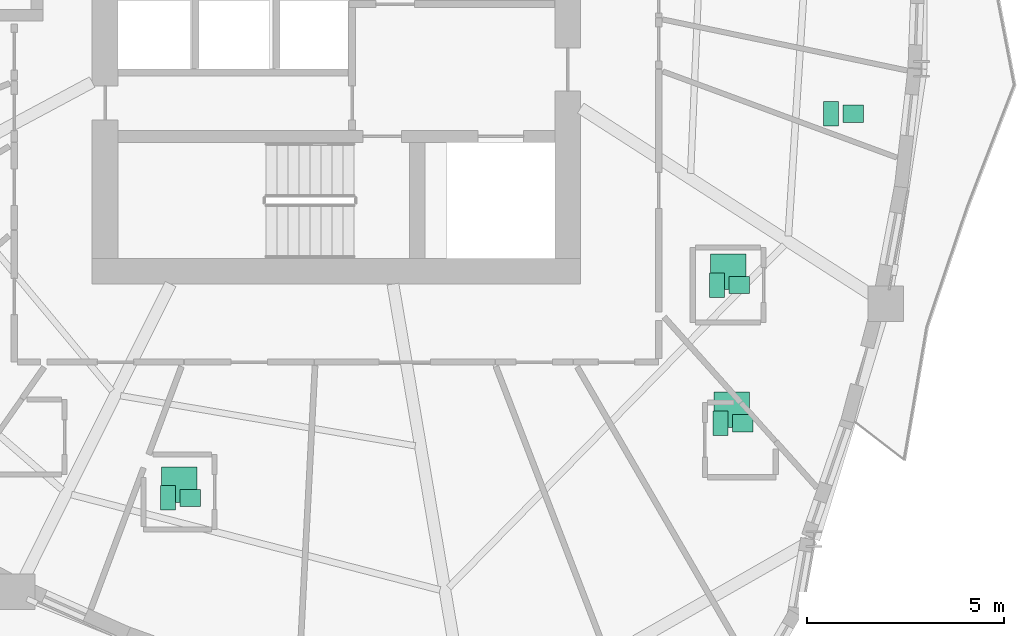
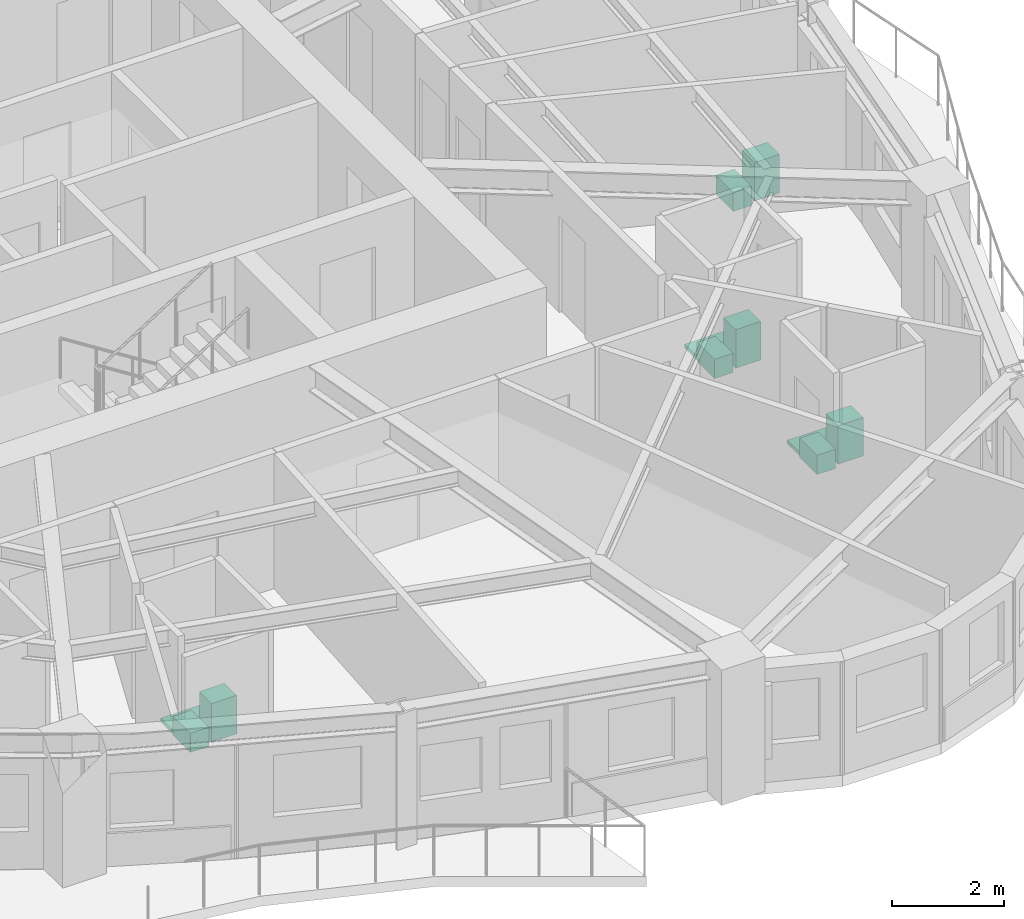
# One storey, part 13 of 13: 11 sanitary terminals.
"""IFC4 building model written with IfcOpenShell, lengths in metres."""

from ifc_helpers import new_model, si_unit, direction, frame, origin, origin_2d, place, context, subcontext, project, spatial, rectangle, extrude, source, transform, mapped, material, type_object, element, save


model = new_model("IFC4")

# Units and contexts
model_context = context("Model", 3, precision=1e-05, world=origin(), true_north=direction((0.0, 1.0)))
body_context = subcontext(model_context, "Body", "Model", "MODEL_VIEW")
ifc_project = project(units=[si_unit("LENGTHUNIT", "METRE"), si_unit("AREAUNIT", "SQUARE_METRE"), si_unit("VOLUMEUNIT", "CUBIC_METRE"), si_unit("PLANEANGLEUNIT", "RADIAN"), si_unit("MASSUNIT", "GRAM", prefix="KILO")], contexts=[model_context])

# Site, building, storey
site_placement = place(None, origin())
site = spatial("IfcSite", under=ifc_project, at=site_placement, CompositionType="ELEMENT")
building_placement = place(site_placement, origin())
building = spatial("IfcBuilding", under=site, at=building_placement, Name="Qafzar Sky-Pleat Residences", CompositionType="ELEMENT")
storey_placement = place(building_placement, frame((0.0, 0.0, 99.199951171875)))
storey = spatial("IfcBuildingStorey", under=building, at=storey_placement, Name="L29", CompositionType="ELEMENT", Elevation=99.199951171875)

# Sanitary terminals
ifc_material_1 = material(Name="Vitreous china sanitaryware")
sanitary_terminal_type_1 = type_object("IfcSanitaryTerminalType", Name="SAN-WC-PAN", PredefinedType="TOILETPAN", material=ifc_material_1)
shared_shape_1 = source(origin(), body_context, "Body", "SweptSolid", [
    extrude(rectangle(XDim=0.3798828125, YDim=0.6201171875, at=origin_2d()), origin(), (0.0, 0.0, 1.0), 0.419921875),
])
for number, where, z_axis, x_axis, name in (
    (1, (26.074951171875, 12.12109375, 0.0), (0.0, 0.0, 1.0), (1.0, 0.0, 0.0), "L29 En-suite Bathroom 1 WC Pan"),
    (2, (40.106689453125, 14.0205078125, 0.0), (0.0, 0.0, 1.0), (1.0, 0.0, 0.0), "L29 En-suite Bathroom 3 WC Pan"),
    (3, (40.014892578125, 17.52587890625, 0.0), (0.0, 0.0, 1.0), (1.0, 0.0, 0.0), "L29 En-suite Bathroom 4 WC Pan"),
    (4, (42.90966796875, 21.87109375, 0.0), (0.0, 0.0, 1.0), (1.0, 0.0, 0.0), "L29 Accessible Shared Washroom WC Pan"),
):
    element("IfcSanitaryTerminal", number, at=place(storey_placement, frame(where, z_axis=z_axis, x_axis=x_axis)), inside=storey, type_object=sanitary_terminal_type_1, Name=name, PredefinedType="TOILETPAN", context=body_context, shape_type="MappedRepresentation", body=[
        mapped(shared_shape_1, transform((0.0, 0.0, 0.0), x_axis=(1.0, 0.0, 0.0), y_axis=(0.0, 1.0, 0.0), z_axis=(0.0, 0.0, 1.0), scale=1.0)),
    ])
sanitary_terminal_type_2 = type_object("IfcSanitaryTerminalType", Name="SAN-BASIN", PredefinedType="WASHHANDBASIN", material=ifc_material_1)
shared_shape_2 = source(origin(), body_context, "Body", "SweptSolid", [
    extrude(rectangle(XDim=0.52001953125, YDim=0.43994140625, at=origin_2d()), origin(), (0.0, 0.0, 1.0), 0.840087890625),
])
for number, where, z_axis, x_axis, name in (
    (5, (26.635009765625, 12.12109375, 0.0), (0.0, 0.0, 1.0), (1.0, 0.0, 0.0), "L29 En-suite Bathroom 1 Pedestal Washbasin"),
    (6, (40.66650390625, 14.0205078125, 0.0), (0.0, 0.0, 1.0), (1.0, 0.0, 0.0), "L29 En-suite Bathroom 3 Pedestal Washbasin"),
    (7, (40.574951171875, 17.52587890625, 0.0), (0.0, 0.0, 1.0), (1.0, 0.0, 0.0), "L29 En-suite Bathroom 4 Pedestal Washbasin"),
    (8, (43.4697265625, 21.87109375, 0.0), (0.0, 0.0, 1.0), (1.0, 0.0, 0.0), "L29 Accessible Shared Washroom Pedestal Washbasin"),
):
    element("IfcSanitaryTerminal", number, at=place(storey_placement, frame(where, z_axis=z_axis, x_axis=x_axis)), inside=storey, type_object=sanitary_terminal_type_2, Name=name, PredefinedType="WASHHANDBASIN", context=body_context, shape_type="MappedRepresentation", body=[
        mapped(shared_shape_2, transform((0.0, 0.0, 0.0), x_axis=(1.0, 0.0, 0.0), y_axis=(0.0, 1.0, 0.0), z_axis=(0.0, 0.0, 1.0), scale=1.0)),
    ])
ifc_material_2 = material(Name="Vitreous china and acrylic tray")
sanitary_terminal_type_3 = type_object("IfcSanitaryTerminalType", Name="SAN-SHOWER", PredefinedType="SHOWER", material=ifc_material_2)
shared_shape_3 = source(origin(), body_context, "Body", "SweptSolid", [
    extrude(rectangle(XDim=0.89990234375, YDim=0.89990234375, at=origin_2d()), origin(), (0.0, 0.0, 1.0), 0.080078125),
])
for number, where, z_axis, x_axis, name in (
    (9, (26.35498046875, 12.4609375, 0.0), (0.0, 0.0, 1.0), (1.0, 0.0, 0.0), "L29 En-suite Bathroom 1 Walk-In Shower"),
    (10, (40.38671875, 14.360595703125, 0.0), (0.0, 0.0, 1.0), (1.0, 0.0, 0.0), "L29 En-suite Bathroom 3 Walk-In Shower"),
    (11, (40.294921875, 17.865966796875, 0.0), (0.0, 0.0, 1.0), (1.0, 0.0, 0.0), "L29 En-suite Bathroom 4 Walk-In Shower"),
):
    element("IfcSanitaryTerminal", number, at=place(storey_placement, frame(where, z_axis=z_axis, x_axis=x_axis)), inside=storey, type_object=sanitary_terminal_type_3, Name=name, PredefinedType="SHOWER", context=body_context, shape_type="MappedRepresentation", body=[
        mapped(shared_shape_3, transform((0.0, 0.0, 0.0), x_axis=(1.0, 0.0, 0.0), y_axis=(0.0, 1.0, 0.0), z_axis=(0.0, 0.0, 1.0), scale=1.0)),
    ])

save(model, "model.ifc")
